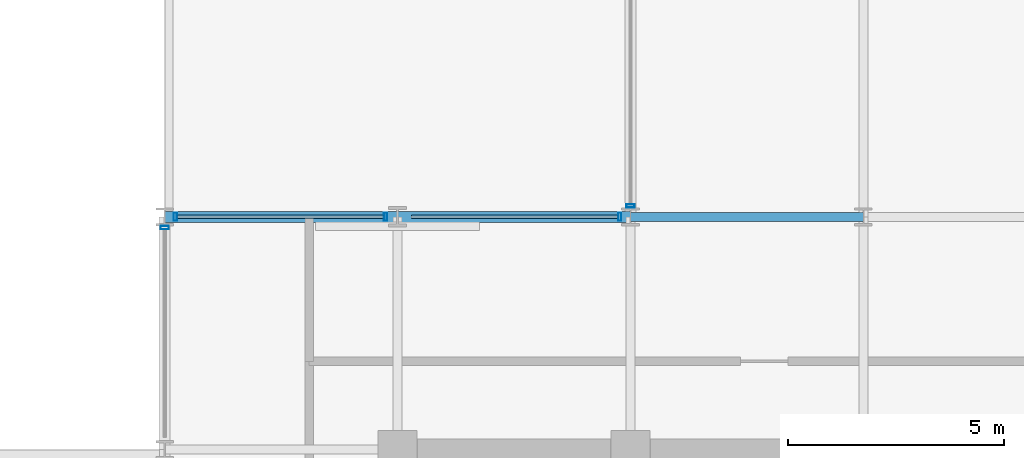
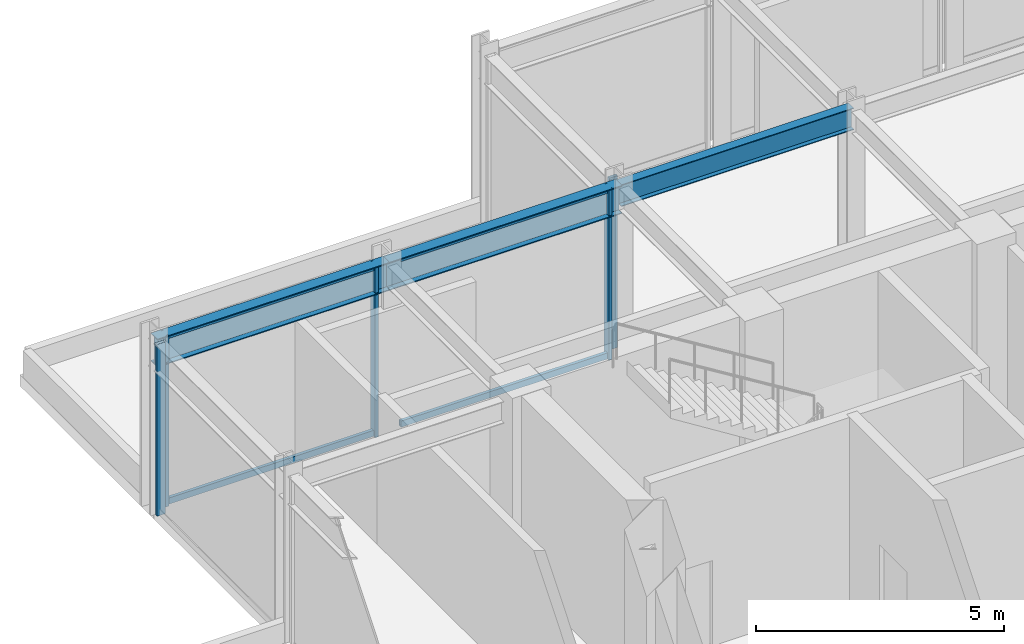
# One storey, part 11 of 21: 9 members, 3 beams, 3 elements without a shape of their own.
"""IFC4 building model written with IfcOpenShell, lengths in metres."""

from ifc_helpers import new_model, si_unit, direction, frame, origin, origin_2d, place, context, subcontext, project, spatial, hollow_rectangle, i_section, extrude, material, layer, layer_set, material_profile, profile_set, type_object, element, aggregate, save


model = new_model("IFC4")

# Units and contexts
model_context = context("Model", 3, precision=1e-05, world=origin(), true_north=direction((0.0, 1.0)))
body_context = subcontext(model_context, "Body", "Model", "MODEL_VIEW")
ifc_project = project(units=[si_unit("LENGTHUNIT", "METRE"), si_unit("AREAUNIT", "SQUARE_METRE"), si_unit("VOLUMEUNIT", "CUBIC_METRE"), si_unit("PLANEANGLEUNIT", "RADIAN"), si_unit("MASSUNIT", "GRAM", prefix="KILO")], contexts=[model_context])

# Site, building, storey
site_placement = place(None, origin())
site = spatial("IfcSite", under=ifc_project, at=site_placement, CompositionType="ELEMENT")
building_placement = place(site_placement, origin())
building = spatial("IfcBuilding", under=site, at=building_placement, Name="Surkhivell Harbour Commons", CompositionType="ELEMENT")
storey_placement = place(building_placement, frame((0.0, 0.0, 346.5)))
storey = spatial("IfcBuildingStorey", under=building, at=storey_placement, Name="L90", CompositionType="ELEMENT", Elevation=346.5)

# Beams
ifc_material_1 = material(Name="Steel S355", Category="steel")
ifc_material_profile_1 = material_profile(ifc_material_1, i_section(OverallWidth=0.2099609375, OverallDepth=0.537109375, WebThickness=0.0107421875, FlangeThickness=0.017333984375, at=origin_2d()), Name="UB533x210x101")
ifc_profile_set_1 = profile_set([ifc_material_profile_1], Name="Steel S355")
beam_type_1 = type_object("IfcBeamType", Name="BM-GRD-533B", PredefinedType="BEAM", material=ifc_profile_set_1)
beam_1_placement = place(storey_placement, frame((-5.39990234375, 16.199951171875, 3.951416015625), z_axis=(1.0, 0.0, 0.0), x_axis=(0.0, 1.0, 0.0)))
element("IfcBeam", 1, at=beam_1_placement, inside=storey, type_object=beam_type_1, Name="L90 Floor Girder (-5.4,16.2)", PredefinedType="BEAM", context=body_context, shape_type="SweptSolid", body=[
    extrude(i_section(OverallWidth=0.2099609375, OverallDepth=0.537109375, WebThickness=0.0107421875, FlangeThickness=0.017333984375, at=origin_2d()), origin(), (0.0, 0.0, 1.0), 5.39990234375),
])
ifc_material_profile_2 = material_profile(ifc_material_1, i_section(OverallWidth=0.256103515625, OverallDepth=0.693115234375, WebThickness=0.014404296875, FlangeThickness=0.023681640625, at=origin_2d()), Name="UB686x254x170")
ifc_profile_set_2 = profile_set([ifc_material_profile_2], Name="Steel S355")
beam_type_2 = type_object("IfcBeamType", Name="BM-SPN-686", PredefinedType="SPANDREL", material=ifc_profile_set_2)
beam_2_placement = place(storey_placement, frame((-16.199951171875, 16.199951171875, 3.87353515625), z_axis=(1.0, 0.0, 0.0), x_axis=(0.0, 1.0, 0.0)))
element("IfcBeam", 2, at=beam_2_placement, inside=storey, type_object=beam_type_2, Name="L90 Tube Spandrel (-16.2,16.2)", PredefinedType="SPANDREL", context=body_context, shape_type="SweptSolid", body=[
    extrude(i_section(OverallWidth=0.256103515625, OverallDepth=0.693115234375, WebThickness=0.014404296875, FlangeThickness=0.023681640625, at=origin_2d()), origin(), (0.0, 0.0, 1.0), 5.39990234375),
])
beam_3_placement = place(storey_placement, frame((-10.800048828125, 16.199951171875, 3.87353515625), z_axis=(1.0, 0.0, 0.0), x_axis=(0.0, 1.0, 0.0)))
element("IfcBeam", 3, at=beam_3_placement, inside=storey, type_object=beam_type_2, Name="L90 Tube Spandrel (-10.8,16.2)", PredefinedType="SPANDREL", context=body_context, shape_type="SweptSolid", body=[
    extrude(i_section(OverallWidth=0.256103515625, OverallDepth=0.693115234375, WebThickness=0.014404296875, FlangeThickness=0.023681640625, at=origin_2d()), origin(), (0.0, 0.0, 1.0), 5.400146484375),
])

# Curtain wall, member
ifc_material_2 = material(Name="Anodised pale-metal aluminium and insulated glazing", Category="aluminium")
ifc_layer = layer(ifc_material_2, 0.22998046875)
ifc_layer_set = layer_set([ifc_layer], Name="Anodised pale-metal aluminium and insulated glazing")
curtain_wall_type = type_object("IfcCurtainWallType", Name="CW-SYS-CRN", PredefinedType="NOTDEFINED", material=ifc_layer_set)
curtain_wall_1_placement = place(storey_placement, origin())
curtain_wall_1 = element("IfcCurtainWall", 4, at=curtain_wall_1_placement, inside=storey, type_object=curtain_wall_type, Name="L90 Curtain Wall CW-L90-C00S1", PredefinedType="NOTDEFINED")
ifc_material_3 = material(Name="Anodised pale-metal aluminium alloy 6063-T6", Category="aluminium")
ifc_material_profile_3 = material_profile(ifc_material_3, hollow_rectangle(XDim=0.074951171875, YDim=0.18994140625, WallThickness=0.00390625, at=origin_2d()), Name="ALU-MULL-75x190")
ifc_profile_set_3 = profile_set([ifc_material_profile_3], Name="Anodised pale-metal aluminium alloy 6063-T6")
member_type_1 = type_object("IfcMemberType", Name="CWM-190", PredefinedType="MULLION", material=ifc_profile_set_3)
member_1_placement = place(storey_placement, frame((-5.39990234375, 16.449462890625, 0.0), z_axis=(0.0, 0.0, 1.0), x_axis=(0.0, -1.0, 0.0)))
member_1 = element("IfcMember", 5, at=member_1_placement, type_object=member_type_1, Name="CW-CRN mullion 2", PredefinedType="MULLION", context=body_context, shape_type="SweptSolid", body=[
    extrude(hollow_rectangle(XDim=0.074951171875, YDim=0.18994140625, WallThickness=0.00390625, at=origin_2d()), origin(), (0.0, 0.0, 1.0), 4.219970703125),
])
aggregate(curtain_wall_1, [member_1])

# Curtain wall, members
curtain_wall_2_placement = place(storey_placement, origin())
curtain_wall_2 = element("IfcCurtainWall", 6, at=curtain_wall_2_placement, inside=storey, type_object=curtain_wall_type, Name="L90 Curtain Wall CW-L90-C01", PredefinedType="NOTDEFINED")
member_2_placement = place(storey_placement, frame((-5.6494140625, 16.199951171875, 0.0), z_axis=(0.0, 0.0, 1.0), x_axis=(-1.0, 0.0, 0.0)))
member_2 = element("IfcMember", 7, at=member_2_placement, type_object=member_type_1, Name="CW-CRN mullion 1", PredefinedType="MULLION", context=body_context, shape_type="SweptSolid", body=[
    extrude(hollow_rectangle(XDim=0.074951171875, YDim=0.18994140625, WallThickness=0.00390625, at=origin_2d()), origin(), (0.0, 0.0, 1.0), 4.219970703125),
])
member_3_placement = place(storey_placement, frame((-11.07958984375, 16.199951171875, 0.0), z_axis=(0.0, 0.0, 1.0), x_axis=(-1.0, 0.0, 0.0)))
member_3 = element("IfcMember", 8, at=member_3_placement, type_object=member_type_1, Name="CW-CRN mullion 2", PredefinedType="MULLION", context=body_context, shape_type="SweptSolid", body=[
    extrude(hollow_rectangle(XDim=0.074951171875, YDim=0.18994140625, WallThickness=0.00390625, at=origin_2d()), origin(), (0.0, 0.0, 1.0), 4.219970703125),
])
member_4_placement = place(storey_placement, frame((-15.950439453125, 16.199951171875, 0.0), z_axis=(0.0, 0.0, 1.0), x_axis=(-1.0, 0.0, 0.0)))
member_4 = element("IfcMember", 9, at=member_4_placement, type_object=member_type_1, Name="CW-CRN mullion 3", PredefinedType="MULLION", context=body_context, shape_type="SweptSolid", body=[
    extrude(hollow_rectangle(XDim=0.074951171875, YDim=0.18994140625, WallThickness=0.00390625, at=origin_2d()), origin(), (0.0, 0.0, 1.0), 4.219970703125),
])

# Curtain wall, member
curtain_wall_3_placement = place(storey_placement, origin())
curtain_wall_3 = element("IfcCurtainWall", 10, at=curtain_wall_3_placement, inside=storey, type_object=curtain_wall_type, Name="L90 Curtain Wall CW-L90-C02S1", PredefinedType="NOTDEFINED")
member_5_placement = place(storey_placement, frame((-16.199951171875, 15.950439453125, 0.0), z_axis=(0.0, 0.0, 1.0), x_axis=(0.0, -1.0, 0.0)))
member_5 = element("IfcMember", 11, at=member_5_placement, type_object=member_type_1, Name="CW-CRN mullion 1", PredefinedType="MULLION", context=body_context, shape_type="SweptSolid", body=[
    extrude(hollow_rectangle(XDim=0.074951171875, YDim=0.18994140625, WallThickness=0.00390625, at=origin_2d()), origin(), (0.0, 0.0, 1.0), 4.219970703125),
])
aggregate(curtain_wall_3, [member_5])

# Member
ifc_material_profile_4 = material_profile(ifc_material_3, hollow_rectangle(XDim=0.074951171875, YDim=0.14990234375, WallThickness=0.00341796875, at=origin_2d()), Name="ALU-TRAN-75x150")
ifc_profile_set_4 = profile_set([ifc_material_profile_4], Name="Anodised pale-metal aluminium alloy 6063-T6")
member_type_2 = type_object("IfcMemberType", Name="CWT-150", PredefinedType="USERDEFINED", material=ifc_profile_set_4)
member_6_placement = place(storey_placement, frame((-5.68701171875, 16.199951171875, 0.074951171875), z_axis=(-1.0, 0.0, 0.0), x_axis=(0.0, -1.0, 0.0)))
member_6 = element("IfcMember", 12, at=member_6_placement, type_object=member_type_2, Name="CW-CRN transom 1.1", ObjectType="TRANSOM", PredefinedType="USERDEFINED", context=body_context, shape_type="SweptSolid", body=[
    extrude(hollow_rectangle(XDim=0.074951171875, YDim=0.14990234375, WallThickness=0.00341796875, at=origin_2d()), origin(), (0.0, 0.0, 1.0), 4.7958984375),
])

member_7_placement = place(storey_placement, frame((-5.68701171875, 16.199951171875, 4.14501953125), z_axis=(-1.0, 0.0, 0.0), x_axis=(0.0, -1.0, 0.0)))
member_7 = element("IfcMember", 13, at=member_7_placement, type_object=member_type_2, Name="CW-CRN transom 1.2", ObjectType="TRANSOM", PredefinedType="USERDEFINED", context=body_context, shape_type="SweptSolid", body=[
    extrude(hollow_rectangle(XDim=0.074951171875, YDim=0.14990234375, WallThickness=0.00341796875, at=origin_2d()), origin(), (0.0, 0.0, 1.0), 4.7958984375),
])

member_8_placement = place(storey_placement, frame((-11.116943359375, 16.199951171875, 0.074951171875), z_axis=(-1.0, 0.0, 0.0), x_axis=(0.0, -1.0, 0.0)))
member_8 = element("IfcMember", 14, at=member_8_placement, type_object=member_type_2, Name="CW-CRN transom 2.1", ObjectType="TRANSOM", PredefinedType="USERDEFINED", context=body_context, shape_type="SweptSolid", body=[
    extrude(hollow_rectangle(XDim=0.074951171875, YDim=0.14990234375, WallThickness=0.00341796875, at=origin_2d()), origin(), (0.0, 0.0, 1.0), 4.796142578125),
])

member_9_placement = place(storey_placement, frame((-11.116943359375, 16.199951171875, 4.14501953125), z_axis=(-1.0, 0.0, 0.0), x_axis=(0.0, -1.0, 0.0)))
member_9 = element("IfcMember", 15, at=member_9_placement, type_object=member_type_2, Name="CW-CRN transom 2.2", ObjectType="TRANSOM", PredefinedType="USERDEFINED", context=body_context, shape_type="SweptSolid", body=[
    extrude(hollow_rectangle(XDim=0.074951171875, YDim=0.14990234375, WallThickness=0.00341796875, at=origin_2d()), origin(), (0.0, 0.0, 1.0), 4.796142578125),
])

aggregate(curtain_wall_2, [member_2, member_6, member_7, member_3, member_4, member_8, member_9])

save(model, "model.ifc")
